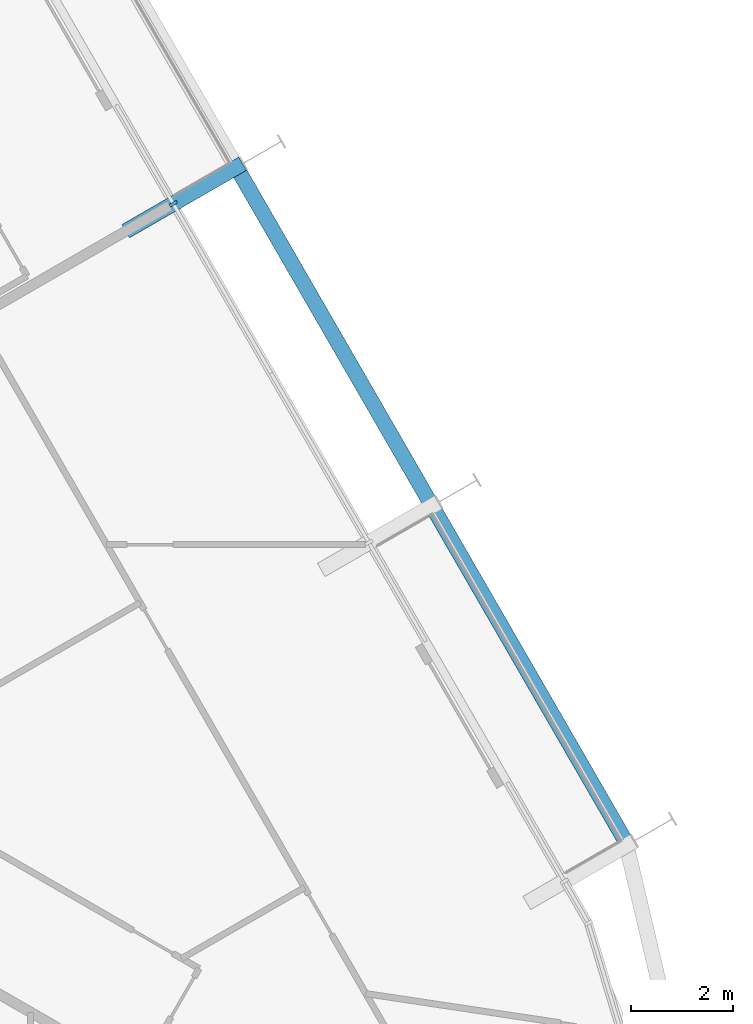
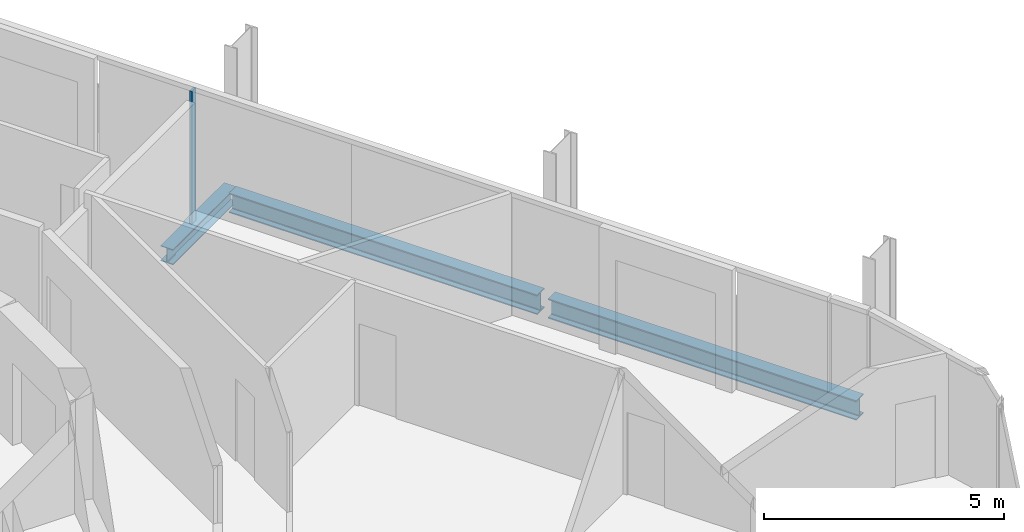
# One storey, part 8 of 20: 3 beams, 1 member, 1 element without a shape of its own.
"""IFC4 building model written with IfcOpenShell, lengths in metres."""

from ifc_helpers import new_model, si_unit, direction, frame, origin, origin_2d, place, context, subcontext, project, spatial, rectangle, i_section, extrude, material, layer, layer_set, material_profile, profile_set, type_object, element, aggregate, save


model = new_model("IFC4")

# Units and contexts
model_context = context("Model", 3, precision=1e-05, world=origin(), true_north=direction((0.0, 1.0)))
body_context = subcontext(model_context, "Body", "Model", "MODEL_VIEW")
ifc_project = project(units=[si_unit("LENGTHUNIT", "METRE"), si_unit("AREAUNIT", "SQUARE_METRE"), si_unit("VOLUMEUNIT", "CUBIC_METRE"), si_unit("PLANEANGLEUNIT", "RADIAN"), si_unit("MASSUNIT", "GRAM", prefix="KILO")], contexts=[model_context])

# Site, building, storey
site_placement = place(None, origin())
site = spatial("IfcSite", under=ifc_project, at=site_placement, CompositionType="ELEMENT")
building_placement = place(site_placement, origin())
building = spatial("IfcBuilding", under=site, at=building_placement, Name="Spindle Arch Residences", CompositionType="ELEMENT")
storey_placement = place(building_placement, frame((0.0, 0.0, 41.89990234375)))
storey = spatial("IfcBuildingStorey", under=building, at=storey_placement, Name="L08", CompositionType="ELEMENT", Elevation=41.89990234375)

# Curtain wall, member
ifc_material_1 = material(Name="Aluminium bronze unitised frame with tinted glass", Category="aluminium")
ifc_layer = layer(ifc_material_1, 0.159912109375)
ifc_layer_set = layer_set([ifc_layer], Name="CW-C typical residential unitised wall")
curtain_wall_type = type_object("IfcCurtainWallType", Name="CW-C typical residential unitised wall", PredefinedType="NOTDEFINED", material=ifc_layer_set)
curtain_wall_placement = place(storey_placement, origin())
curtain_wall = element("IfcCurtainWall", 1, at=curtain_wall_placement, inside=storey, type_object=curtain_wall_type, Name="CW-C L08 run 2", PredefinedType="NOTDEFINED")
ifc_material_2 = material(Name="Aluminium bronze anodised mullion", Category="aluminium")
ifc_material_profile_1 = material_profile(ifc_material_2, rectangle(XDim=0.159912109375, YDim=0.06005859375, at=origin_2d()), Name="MU 60x160")
ifc_profile_set_1 = profile_set([ifc_material_profile_1], Name="Aluminium bronze anodised mullion")
member_type = type_object("IfcMemberType", Name="Bronze mullion 60x160", PredefinedType="MULLION", material=ifc_profile_set_1)
member_placement = place(storey_placement, frame((18.9892578125, 6.529296875, -0.3798828125), z_axis=(0.0, 0.0, 1.0), x_axis=(-0.866025403784, -0.5, 0.0)))
member = element("IfcMember", 2, at=member_placement, type_object=member_type, Name="CW-C mullion 07", PredefinedType="MULLION", context=body_context, shape_type="SweptSolid", body=[
    extrude(rectangle(XDim=0.159912109375, YDim=0.06005859375, at=origin_2d()), origin(), (0.0, 0.0, 1.0), 3.3798828125),
])
aggregate(curtain_wall, [member])

# Beams
ifc_material_3 = material(Name="Steel S460ML, intumescent coating R 120", Category="steel")
ifc_material_profile_2 = material_profile(ifc_material_3, i_section(OverallWidth=0.300048828125, OverallDepth=0.5, WebThickness=0.014404296875, FlangeThickness=0.028076171875, FilletRadius=0.027099609375, at=origin_2d()), Name="HEB 500")
ifc_profile_set_2 = profile_set([ifc_material_profile_2], Name="Steel S460ML, intumescent coating R 120")
beam_type_1 = type_object("IfcBeamType", Name="Exoskeleton edge beam HEB 500", PredefinedType="BEAM", material=ifc_profile_set_2)
for number, where, z_axis, x_axis, name in (
    (3, (27.84521484375, -5.94384765625, -0.6298828125), (-0.49998923004, 0.866031621735, 0.0), (-0.866031621735, -0.49998923004, 0.0), "Exoskeleton edge beam 6"),
    (4, (24.00537109375, 0.707275390625, -0.6298828125), (-0.49998923004, 0.866031621735, 0.0), (-0.866031621735, -0.49998923004, 0.0), "Exoskeleton edge beam 7"),
):
    element("IfcBeam", number, at=place(storey_placement, frame(where, z_axis=z_axis, x_axis=x_axis)), inside=storey, type_object=beam_type_1, Name=name, PredefinedType="BEAM", context=body_context, shape_type="SweptSolid", body=[
        extrude(i_section(OverallWidth=0.300048828125, OverallDepth=0.5, WebThickness=0.014404296875, FlangeThickness=0.028076171875, FilletRadius=0.027099609375, at=origin_2d()), origin(), (0.0, 0.0, 1.0), 7.420166015625),
    ])
ifc_material_4 = material(Name="Steel S460ML, intumescent coating R 120", Category="steel")
ifc_material_profile_3 = material_profile(ifc_material_4, i_section(OverallWidth=0.300048828125, OverallDepth=0.389892578125, WebThickness=0.010986328125, FlangeThickness=0.01904296875, FilletRadius=0.027099609375, at=origin_2d()), Name="HEA 400")
ifc_profile_set_3 = profile_set([ifc_material_profile_3], Name="Steel S460ML, intumescent coating R 120")
beam_type_2 = type_object("IfcBeamType", Name="Floor outrigger HEA 400", PredefinedType="BEAM", material=ifc_profile_set_3)
beam_placement = place(storey_placement, frame((20.34912109375, 7.314453125, -0.574951171875), z_axis=(-0.866052124492, -0.499953715521, 0.0), x_axis=(0.499953715521, -0.866052124492, 0.0)))
element("IfcBeam", 5, at=beam_placement, inside=storey, type_object=beam_type_2, Name="Floor outrigger 8", PredefinedType="BEAM", context=body_context, shape_type="SweptSolid", body=[
    extrude(i_section(OverallWidth=0.300048828125, OverallDepth=0.389892578125, WebThickness=0.010986328125, FlangeThickness=0.01904296875, FilletRadius=0.027099609375, at=origin_2d()), origin(), (0.0, 0.0, 1.0), 2.650146484375),
])

save(model, "model.ifc")
